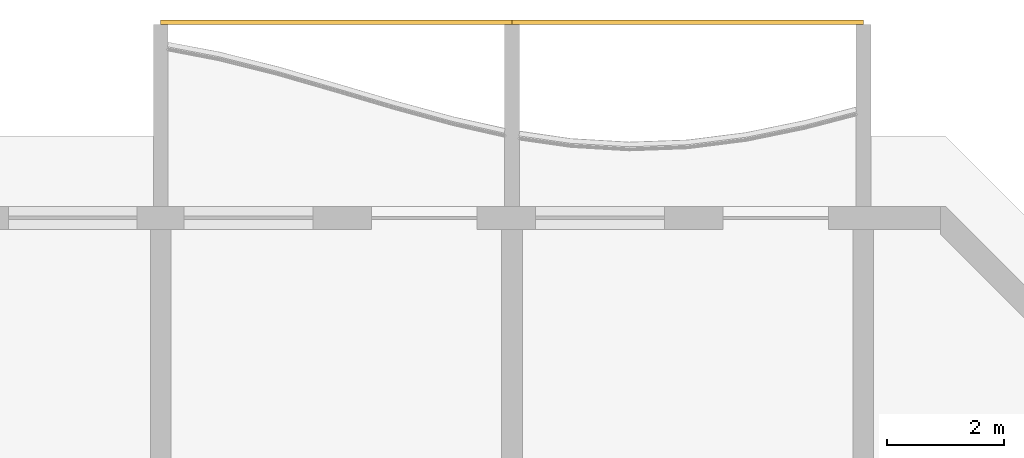
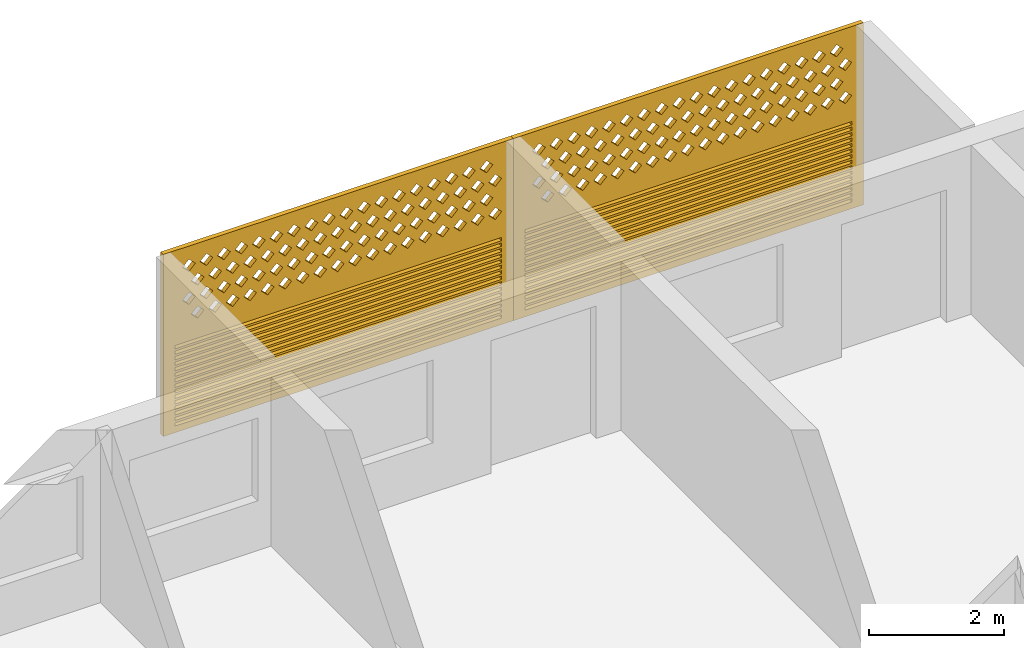
# One storey, part 28 of 28: 2 coverings.
"""IFC4 building model written with IfcOpenShell, lengths in metres."""

from ifc_helpers import new_model, si_unit, direction, frame, origin, place, context, subcontext, project, spatial, polyline, outline, extrude, source, transform, mapped, material, material_profile, profile_set, type_object, element, save


model = new_model("IFC4")

# Units and contexts
model_context = context("Model", 3, precision=1e-05, world=origin(), true_north=direction((0.0, 1.0)))
body_context = subcontext(model_context, "Body", "Model", "MODEL_VIEW")
ifc_project = project(units=[si_unit("LENGTHUNIT", "METRE"), si_unit("AREAUNIT", "SQUARE_METRE"), si_unit("VOLUMEUNIT", "CUBIC_METRE"), si_unit("PLANEANGLEUNIT", "RADIAN"), si_unit("MASSUNIT", "GRAM", prefix="KILO")], contexts=[model_context])

# Site, building, storey
site_placement = place(None, origin())
site = spatial("IfcSite", under=ifc_project, at=site_placement, CompositionType="ELEMENT")
building_placement = place(site_placement, origin())
building = spatial("IfcBuilding", under=site, at=building_placement, Name="Poui Terraces", CompositionType="ELEMENT")
storey_placement = place(building_placement, frame((0.0, 0.0, 72.89990234375)))
storey = spatial("IfcBuildingStorey", under=building, at=storey_placement, Name="L19", CompositionType="ELEMENT", Elevation=72.89990234375)

# Coverings
ifc_material = material(Name="Terracotta screen", Category="masonry")
ifc_material_profile = material_profile(ifc_material, outline(polyline([(-3.0, -1.64990234375), (3.0, -1.64990234375), (3.0, 1.64990234375), (-3.0, 1.64990234375), (-3.0, -1.64990234375)]), holes=[polyline([(-2.800048828125, 0.39990234375), (-2.68994140625, 0.2900390625), (-2.580078125, 0.39990234375), (-2.68994140625, 0.510009765625), (-2.800048828125, 0.39990234375)]), polyline([(-2.5, 0.39990234375), (-2.389892578125, 0.2900390625), (-2.280029296875, 0.39990234375), (-2.389892578125, 0.510009765625), (-2.5, 0.39990234375)]), polyline([(-2.199951171875, 0.39990234375), (-2.090087890625, 0.2900390625), (-1.97998046875, 0.39990234375), (-2.090087890625, 0.510009765625), (-2.199951171875, 0.39990234375)]), polyline([(-1.89990234375, 0.39990234375), (-1.7900390625, 0.2900390625), (-1.679931640625, 0.39990234375), (-1.7900390625, 0.510009765625), (-1.89990234375, 0.39990234375)]), polyline([(-1.60009765625, 0.39990234375), (-1.489990234375, 0.2900390625), (-1.3798828125, 0.39990234375), (-1.489990234375, 0.510009765625), (-1.60009765625, 0.39990234375)]), polyline([(-1.300048828125, 0.39990234375), (-1.18994140625, 0.2900390625), (-1.080078125, 0.39990234375), (-1.18994140625, 0.510009765625), (-1.300048828125, 0.39990234375)]), polyline([(-1.0, 0.39990234375), (-0.889892578125, 0.2900390625), (-0.780029296875, 0.39990234375), (-0.889892578125, 0.510009765625), (-1.0, 0.39990234375)]), polyline([(-0.699951171875, 0.39990234375), (-0.590087890625, 0.2900390625), (-0.47998046875, 0.39990234375), (-0.590087890625, 0.510009765625), (-0.699951171875, 0.39990234375)]), polyline([(-0.39990234375, 0.39990234375), (-0.2900390625, 0.2900390625), (-0.179931640625, 0.39990234375), (-0.2900390625, 0.510009765625), (-0.39990234375, 0.39990234375)]), polyline([(-0.10009765625, 0.39990234375), (0.010009765625, 0.2900390625), (0.1201171875, 0.39990234375), (0.010009765625, 0.510009765625), (-0.10009765625, 0.39990234375)]), polyline([(0.199951171875, 0.39990234375), (0.31005859375, 0.2900390625), (0.419921875, 0.39990234375), (0.31005859375, 0.510009765625), (0.199951171875, 0.39990234375)]), polyline([(0.5, 0.39990234375), (0.610107421875, 0.2900390625), (0.719970703125, 0.39990234375), (0.610107421875, 0.510009765625), (0.5, 0.39990234375)]), polyline([(0.800048828125, 0.39990234375), (0.909912109375, 0.2900390625), (1.02001953125, 0.39990234375), (0.909912109375, 0.510009765625), (0.800048828125, 0.39990234375)]), polyline([(1.10009765625, 0.39990234375), (1.2099609375, 0.2900390625), (1.320068359375, 0.39990234375), (1.2099609375, 0.510009765625), (1.10009765625, 0.39990234375)]), polyline([(1.39990234375, 0.39990234375), (1.510009765625, 0.2900390625), (1.6201171875, 0.39990234375), (1.510009765625, 0.510009765625), (1.39990234375, 0.39990234375)]), polyline([(1.699951171875, 0.39990234375), (1.81005859375, 0.2900390625), (1.919921875, 0.39990234375), (1.81005859375, 0.510009765625), (1.699951171875, 0.39990234375)]), polyline([(2.0, 0.39990234375), (2.110107421875, 0.2900390625), (2.219970703125, 0.39990234375), (2.110107421875, 0.510009765625), (2.0, 0.39990234375)]), polyline([(2.300048828125, 0.39990234375), (2.409912109375, 0.2900390625), (2.52001953125, 0.39990234375), (2.409912109375, 0.510009765625), (2.300048828125, 0.39990234375)]), polyline([(-2.64990234375, 0.699951171875), (-2.5400390625, 0.590087890625), (-2.429931640625, 0.699951171875), (-2.5400390625, 0.81005859375), (-2.64990234375, 0.699951171875)]), polyline([(-2.35009765625, 0.699951171875), (-2.239990234375, 0.590087890625), (-2.1298828125, 0.699951171875), (-2.239990234375, 0.81005859375), (-2.35009765625, 0.699951171875)]), polyline([(-2.050048828125, 0.699951171875), (-1.93994140625, 0.590087890625), (-1.830078125, 0.699951171875), (-1.93994140625, 0.81005859375), (-2.050048828125, 0.699951171875)]), polyline([(-1.75, 0.699951171875), (-1.639892578125, 0.590087890625), (-1.530029296875, 0.699951171875), (-1.639892578125, 0.81005859375), (-1.75, 0.699951171875)]), polyline([(-1.449951171875, 0.699951171875), (-1.340087890625, 0.590087890625), (-1.22998046875, 0.699951171875), (-1.340087890625, 0.81005859375), (-1.449951171875, 0.699951171875)]), polyline([(-1.14990234375, 0.699951171875), (-1.0400390625, 0.590087890625), (-0.929931640625, 0.699951171875), (-1.0400390625, 0.81005859375), (-1.14990234375, 0.699951171875)]), polyline([(-0.85009765625, 0.699951171875), (-0.739990234375, 0.590087890625), (-0.6298828125, 0.699951171875), (-0.739990234375, 0.81005859375), (-0.85009765625, 0.699951171875)]), polyline([(-0.550048828125, 0.699951171875), (-0.43994140625, 0.590087890625), (-0.330078125, 0.699951171875), (-0.43994140625, 0.81005859375), (-0.550048828125, 0.699951171875)]), polyline([(-0.25, 0.699951171875), (-0.139892578125, 0.590087890625), (-0.030029296875, 0.699951171875), (-0.139892578125, 0.81005859375), (-0.25, 0.699951171875)]), polyline([(0.050048828125, 0.699951171875), (0.159912109375, 0.590087890625), (0.27001953125, 0.699951171875), (0.159912109375, 0.81005859375), (0.050048828125, 0.699951171875)]), polyline([(0.35009765625, 0.699951171875), (0.4599609375, 0.590087890625), (0.570068359375, 0.699951171875), (0.4599609375, 0.81005859375), (0.35009765625, 0.699951171875)]), polyline([(0.64990234375, 0.699951171875), (0.760009765625, 0.590087890625), (0.8701171875, 0.699951171875), (0.760009765625, 0.81005859375), (0.64990234375, 0.699951171875)]), polyline([(0.949951171875, 0.699951171875), (1.06005859375, 0.590087890625), (1.169921875, 0.699951171875), (1.06005859375, 0.81005859375), (0.949951171875, 0.699951171875)]), polyline([(1.25, 0.699951171875), (1.360107421875, 0.590087890625), (1.469970703125, 0.699951171875), (1.360107421875, 0.81005859375), (1.25, 0.699951171875)]), polyline([(1.550048828125, 0.699951171875), (1.659912109375, 0.590087890625), (1.77001953125, 0.699951171875), (1.659912109375, 0.81005859375), (1.550048828125, 0.699951171875)]), polyline([(1.85009765625, 0.699951171875), (1.9599609375, 0.590087890625), (2.070068359375, 0.699951171875), (1.9599609375, 0.81005859375), (1.85009765625, 0.699951171875)]), polyline([(2.14990234375, 0.699951171875), (2.260009765625, 0.590087890625), (2.3701171875, 0.699951171875), (2.260009765625, 0.81005859375), (2.14990234375, 0.699951171875)]), polyline([(2.449951171875, 0.699951171875), (2.56005859375, 0.590087890625), (2.669921875, 0.699951171875), (2.56005859375, 0.81005859375), (2.449951171875, 0.699951171875)]), polyline([(-2.800048828125, 1.0), (-2.68994140625, 0.889892578125), (-2.580078125, 1.0), (-2.68994140625, 1.110107421875), (-2.800048828125, 1.0)]), polyline([(-2.5, 1.0), (-2.389892578125, 0.889892578125), (-2.280029296875, 1.0), (-2.389892578125, 1.110107421875), (-2.5, 1.0)]), polyline([(-2.199951171875, 1.0), (-2.090087890625, 0.889892578125), (-1.97998046875, 1.0), (-2.090087890625, 1.110107421875), (-2.199951171875, 1.0)]), polyline([(-1.89990234375, 1.0), (-1.7900390625, 0.889892578125), (-1.679931640625, 1.0), (-1.7900390625, 1.110107421875), (-1.89990234375, 1.0)]), polyline([(-1.60009765625, 1.0), (-1.489990234375, 0.889892578125), (-1.3798828125, 1.0), (-1.489990234375, 1.110107421875), (-1.60009765625, 1.0)]), polyline([(-1.300048828125, 1.0), (-1.18994140625, 0.889892578125), (-1.080078125, 1.0), (-1.18994140625, 1.110107421875), (-1.300048828125, 1.0)]), polyline([(-1.0, 1.0), (-0.889892578125, 0.889892578125), (-0.780029296875, 1.0), (-0.889892578125, 1.110107421875), (-1.0, 1.0)]), polyline([(-0.699951171875, 1.0), (-0.590087890625, 0.889892578125), (-0.47998046875, 1.0), (-0.590087890625, 1.110107421875), (-0.699951171875, 1.0)]), polyline([(-0.39990234375, 1.0), (-0.2900390625, 0.889892578125), (-0.179931640625, 1.0), (-0.2900390625, 1.110107421875), (-0.39990234375, 1.0)]), polyline([(-0.10009765625, 1.0), (0.010009765625, 0.889892578125), (0.1201171875, 1.0), (0.010009765625, 1.110107421875), (-0.10009765625, 1.0)]), polyline([(0.199951171875, 1.0), (0.31005859375, 0.889892578125), (0.419921875, 1.0), (0.31005859375, 1.110107421875), (0.199951171875, 1.0)]), polyline([(0.5, 1.0), (0.610107421875, 0.889892578125), (0.719970703125, 1.0), (0.610107421875, 1.110107421875), (0.5, 1.0)]), polyline([(0.800048828125, 1.0), (0.909912109375, 0.889892578125), (1.02001953125, 1.0), (0.909912109375, 1.110107421875), (0.800048828125, 1.0)]), polyline([(1.10009765625, 1.0), (1.2099609375, 0.889892578125), (1.320068359375, 1.0), (1.2099609375, 1.110107421875), (1.10009765625, 1.0)]), polyline([(1.39990234375, 1.0), (1.510009765625, 0.889892578125), (1.6201171875, 1.0), (1.510009765625, 1.110107421875), (1.39990234375, 1.0)]), polyline([(1.699951171875, 1.0), (1.81005859375, 0.889892578125), (1.919921875, 1.0), (1.81005859375, 1.110107421875), (1.699951171875, 1.0)]), polyline([(2.0, 1.0), (2.110107421875, 0.889892578125), (2.219970703125, 1.0), (2.110107421875, 1.110107421875), (2.0, 1.0)]), polyline([(2.300048828125, 1.0), (2.409912109375, 0.889892578125), (2.52001953125, 1.0), (2.409912109375, 1.110107421875), (2.300048828125, 1.0)]), polyline([(-2.64990234375, 1.300048828125), (-2.5400390625, 1.18994140625), (-2.429931640625, 1.300048828125), (-2.5400390625, 1.409912109375), (-2.64990234375, 1.300048828125)]), polyline([(-2.35009765625, 1.300048828125), (-2.239990234375, 1.18994140625), (-2.1298828125, 1.300048828125), (-2.239990234375, 1.409912109375), (-2.35009765625, 1.300048828125)]), polyline([(-2.050048828125, 1.300048828125), (-1.93994140625, 1.18994140625), (-1.830078125, 1.300048828125), (-1.93994140625, 1.409912109375), (-2.050048828125, 1.300048828125)]), polyline([(-1.75, 1.300048828125), (-1.639892578125, 1.18994140625), (-1.530029296875, 1.300048828125), (-1.639892578125, 1.409912109375), (-1.75, 1.300048828125)]), polyline([(-1.449951171875, 1.300048828125), (-1.340087890625, 1.18994140625), (-1.22998046875, 1.300048828125), (-1.340087890625, 1.409912109375), (-1.449951171875, 1.300048828125)]), polyline([(-1.14990234375, 1.300048828125), (-1.0400390625, 1.18994140625), (-0.929931640625, 1.300048828125), (-1.0400390625, 1.409912109375), (-1.14990234375, 1.300048828125)]), polyline([(-0.85009765625, 1.300048828125), (-0.739990234375, 1.18994140625), (-0.6298828125, 1.300048828125), (-0.739990234375, 1.409912109375), (-0.85009765625, 1.300048828125)]), polyline([(-0.550048828125, 1.300048828125), (-0.43994140625, 1.18994140625), (-0.330078125, 1.300048828125), (-0.43994140625, 1.409912109375), (-0.550048828125, 1.300048828125)]), polyline([(-0.25, 1.300048828125), (-0.139892578125, 1.18994140625), (-0.030029296875, 1.300048828125), (-0.139892578125, 1.409912109375), (-0.25, 1.300048828125)]), polyline([(0.050048828125, 1.300048828125), (0.159912109375, 1.18994140625), (0.27001953125, 1.300048828125), (0.159912109375, 1.409912109375), (0.050048828125, 1.300048828125)]), polyline([(0.35009765625, 1.300048828125), (0.4599609375, 1.18994140625), (0.570068359375, 1.300048828125), (0.4599609375, 1.409912109375), (0.35009765625, 1.300048828125)]), polyline([(0.64990234375, 1.300048828125), (0.760009765625, 1.18994140625), (0.8701171875, 1.300048828125), (0.760009765625, 1.409912109375), (0.64990234375, 1.300048828125)]), polyline([(0.949951171875, 1.300048828125), (1.06005859375, 1.18994140625), (1.169921875, 1.300048828125), (1.06005859375, 1.409912109375), (0.949951171875, 1.300048828125)]), polyline([(1.25, 1.300048828125), (1.360107421875, 1.18994140625), (1.469970703125, 1.300048828125), (1.360107421875, 1.409912109375), (1.25, 1.300048828125)]), polyline([(1.550048828125, 1.300048828125), (1.659912109375, 1.18994140625), (1.77001953125, 1.300048828125), (1.659912109375, 1.409912109375), (1.550048828125, 1.300048828125)]), polyline([(1.85009765625, 1.300048828125), (1.9599609375, 1.18994140625), (2.070068359375, 1.300048828125), (1.9599609375, 1.409912109375), (1.85009765625, 1.300048828125)]), polyline([(2.14990234375, 1.300048828125), (2.260009765625, 1.18994140625), (2.3701171875, 1.300048828125), (2.260009765625, 1.409912109375), (2.14990234375, 1.300048828125)]), polyline([(2.449951171875, 1.300048828125), (2.56005859375, 1.18994140625), (2.669921875, 1.300048828125), (2.56005859375, 1.409912109375), (2.449951171875, 1.300048828125)]), polyline([(-2.800048828125, -1.530029296875), (2.800048828125, -1.530029296875), (2.800048828125, -1.469970703125), (-2.800048828125, -1.469970703125), (-2.800048828125, -1.530029296875)]), polyline([(-2.800048828125, -1.429931640625), (2.800048828125, -1.429931640625), (2.800048828125, -1.3701171875), (-2.800048828125, -1.3701171875), (-2.800048828125, -1.429931640625)]), polyline([(-2.800048828125, -1.330078125), (2.800048828125, -1.330078125), (2.800048828125, -1.27001953125), (-2.800048828125, -1.27001953125), (-2.800048828125, -1.330078125)]), polyline([(-2.800048828125, -1.22998046875), (2.800048828125, -1.22998046875), (2.800048828125, -1.169921875), (-2.800048828125, -1.169921875), (-2.800048828125, -1.22998046875)]), polyline([(-2.800048828125, -1.1298828125), (2.800048828125, -1.1298828125), (2.800048828125, -1.070068359375), (-2.800048828125, -1.070068359375), (-2.800048828125, -1.1298828125)]), polyline([(-2.800048828125, -1.030029296875), (2.800048828125, -1.030029296875), (2.800048828125, -0.969970703125), (-2.800048828125, -0.969970703125), (-2.800048828125, -1.030029296875)]), polyline([(-2.800048828125, -0.929931640625), (2.800048828125, -0.929931640625), (2.800048828125, -0.8701171875), (-2.800048828125, -0.8701171875), (-2.800048828125, -0.929931640625)]), polyline([(-2.800048828125, -0.830078125), (2.800048828125, -0.830078125), (2.800048828125, -0.77001953125), (-2.800048828125, -0.77001953125), (-2.800048828125, -0.830078125)]), polyline([(-2.800048828125, -0.72998046875), (2.800048828125, -0.72998046875), (2.800048828125, -0.669921875), (-2.800048828125, -0.669921875), (-2.800048828125, -0.72998046875)]), polyline([(-2.800048828125, -0.6298828125), (2.800048828125, -0.6298828125), (2.800048828125, -0.570068359375), (-2.800048828125, -0.570068359375), (-2.800048828125, -0.6298828125)]), polyline([(-2.800048828125, -0.530029296875), (2.800048828125, -0.530029296875), (2.800048828125, -0.469970703125), (-2.800048828125, -0.469970703125), (-2.800048828125, -0.530029296875)]), polyline([(-2.800048828125, -0.429931640625), (2.800048828125, -0.429931640625), (2.800048828125, -0.3701171875), (-2.800048828125, -0.3701171875), (-2.800048828125, -0.429931640625)]), polyline([(-2.800048828125, -0.330078125), (2.800048828125, -0.330078125), (2.800048828125, -0.27001953125), (-2.800048828125, -0.27001953125), (-2.800048828125, -0.330078125)]), polyline([(-2.800048828125, -0.22998046875), (2.800048828125, -0.22998046875), (2.800048828125, -0.169921875), (-2.800048828125, -0.169921875), (-2.800048828125, -0.22998046875)]), polyline([(-2.800048828125, -0.1298828125), (2.800048828125, -0.1298828125), (2.800048828125, -0.070068359375), (-2.800048828125, -0.070068359375), (-2.800048828125, -0.1298828125)])]), Name="TERRACOTTA SCREEN AND JALOUSIE LOUVRE 6000X3300")
ifc_profile_set = profile_set([ifc_material_profile], Name="Terracotta screen")
covering_type = type_object("IfcCoveringType", Name="TERRACOTTA SCREEN AND JALOUSIE LOUVRE 6000X3300", PredefinedType="CLADDING", material=ifc_profile_set)
shared_shape = source(origin(), body_context, "Body", "SweptSolid", [
    extrude(outline(polyline([(-3.0, -1.64990234375), (3.0, -1.64990234375), (3.0, 1.64990234375), (-3.0, 1.64990234375), (-3.0, -1.64990234375)]), holes=[polyline([(-2.800048828125, 0.39990234375), (-2.68994140625, 0.2900390625), (-2.580078125, 0.39990234375), (-2.68994140625, 0.510009765625), (-2.800048828125, 0.39990234375)]), polyline([(-2.5, 0.39990234375), (-2.389892578125, 0.2900390625), (-2.280029296875, 0.39990234375), (-2.389892578125, 0.510009765625), (-2.5, 0.39990234375)]), polyline([(-2.199951171875, 0.39990234375), (-2.090087890625, 0.2900390625), (-1.97998046875, 0.39990234375), (-2.090087890625, 0.510009765625), (-2.199951171875, 0.39990234375)]), polyline([(-1.89990234375, 0.39990234375), (-1.7900390625, 0.2900390625), (-1.679931640625, 0.39990234375), (-1.7900390625, 0.510009765625), (-1.89990234375, 0.39990234375)]), polyline([(-1.60009765625, 0.39990234375), (-1.489990234375, 0.2900390625), (-1.3798828125, 0.39990234375), (-1.489990234375, 0.510009765625), (-1.60009765625, 0.39990234375)]), polyline([(-1.300048828125, 0.39990234375), (-1.18994140625, 0.2900390625), (-1.080078125, 0.39990234375), (-1.18994140625, 0.510009765625), (-1.300048828125, 0.39990234375)]), polyline([(-1.0, 0.39990234375), (-0.889892578125, 0.2900390625), (-0.780029296875, 0.39990234375), (-0.889892578125, 0.510009765625), (-1.0, 0.39990234375)]), polyline([(-0.699951171875, 0.39990234375), (-0.590087890625, 0.2900390625), (-0.47998046875, 0.39990234375), (-0.590087890625, 0.510009765625), (-0.699951171875, 0.39990234375)]), polyline([(-0.39990234375, 0.39990234375), (-0.2900390625, 0.2900390625), (-0.179931640625, 0.39990234375), (-0.2900390625, 0.510009765625), (-0.39990234375, 0.39990234375)]), polyline([(-0.10009765625, 0.39990234375), (0.010009765625, 0.2900390625), (0.1201171875, 0.39990234375), (0.010009765625, 0.510009765625), (-0.10009765625, 0.39990234375)]), polyline([(0.199951171875, 0.39990234375), (0.31005859375, 0.2900390625), (0.419921875, 0.39990234375), (0.31005859375, 0.510009765625), (0.199951171875, 0.39990234375)]), polyline([(0.5, 0.39990234375), (0.610107421875, 0.2900390625), (0.719970703125, 0.39990234375), (0.610107421875, 0.510009765625), (0.5, 0.39990234375)]), polyline([(0.800048828125, 0.39990234375), (0.909912109375, 0.2900390625), (1.02001953125, 0.39990234375), (0.909912109375, 0.510009765625), (0.800048828125, 0.39990234375)]), polyline([(1.10009765625, 0.39990234375), (1.2099609375, 0.2900390625), (1.320068359375, 0.39990234375), (1.2099609375, 0.510009765625), (1.10009765625, 0.39990234375)]), polyline([(1.39990234375, 0.39990234375), (1.510009765625, 0.2900390625), (1.6201171875, 0.39990234375), (1.510009765625, 0.510009765625), (1.39990234375, 0.39990234375)]), polyline([(1.699951171875, 0.39990234375), (1.81005859375, 0.2900390625), (1.919921875, 0.39990234375), (1.81005859375, 0.510009765625), (1.699951171875, 0.39990234375)]), polyline([(2.0, 0.39990234375), (2.110107421875, 0.2900390625), (2.219970703125, 0.39990234375), (2.110107421875, 0.510009765625), (2.0, 0.39990234375)]), polyline([(2.300048828125, 0.39990234375), (2.409912109375, 0.2900390625), (2.52001953125, 0.39990234375), (2.409912109375, 0.510009765625), (2.300048828125, 0.39990234375)]), polyline([(-2.64990234375, 0.699951171875), (-2.5400390625, 0.590087890625), (-2.429931640625, 0.699951171875), (-2.5400390625, 0.81005859375), (-2.64990234375, 0.699951171875)]), polyline([(-2.35009765625, 0.699951171875), (-2.239990234375, 0.590087890625), (-2.1298828125, 0.699951171875), (-2.239990234375, 0.81005859375), (-2.35009765625, 0.699951171875)]), polyline([(-2.050048828125, 0.699951171875), (-1.93994140625, 0.590087890625), (-1.830078125, 0.699951171875), (-1.93994140625, 0.81005859375), (-2.050048828125, 0.699951171875)]), polyline([(-1.75, 0.699951171875), (-1.639892578125, 0.590087890625), (-1.530029296875, 0.699951171875), (-1.639892578125, 0.81005859375), (-1.75, 0.699951171875)]), polyline([(-1.449951171875, 0.699951171875), (-1.340087890625, 0.590087890625), (-1.22998046875, 0.699951171875), (-1.340087890625, 0.81005859375), (-1.449951171875, 0.699951171875)]), polyline([(-1.14990234375, 0.699951171875), (-1.0400390625, 0.590087890625), (-0.929931640625, 0.699951171875), (-1.0400390625, 0.81005859375), (-1.14990234375, 0.699951171875)]), polyline([(-0.85009765625, 0.699951171875), (-0.739990234375, 0.590087890625), (-0.6298828125, 0.699951171875), (-0.739990234375, 0.81005859375), (-0.85009765625, 0.699951171875)]), polyline([(-0.550048828125, 0.699951171875), (-0.43994140625, 0.590087890625), (-0.330078125, 0.699951171875), (-0.43994140625, 0.81005859375), (-0.550048828125, 0.699951171875)]), polyline([(-0.25, 0.699951171875), (-0.139892578125, 0.590087890625), (-0.030029296875, 0.699951171875), (-0.139892578125, 0.81005859375), (-0.25, 0.699951171875)]), polyline([(0.050048828125, 0.699951171875), (0.159912109375, 0.590087890625), (0.27001953125, 0.699951171875), (0.159912109375, 0.81005859375), (0.050048828125, 0.699951171875)]), polyline([(0.35009765625, 0.699951171875), (0.4599609375, 0.590087890625), (0.570068359375, 0.699951171875), (0.4599609375, 0.81005859375), (0.35009765625, 0.699951171875)]), polyline([(0.64990234375, 0.699951171875), (0.760009765625, 0.590087890625), (0.8701171875, 0.699951171875), (0.760009765625, 0.81005859375), (0.64990234375, 0.699951171875)]), polyline([(0.949951171875, 0.699951171875), (1.06005859375, 0.590087890625), (1.169921875, 0.699951171875), (1.06005859375, 0.81005859375), (0.949951171875, 0.699951171875)]), polyline([(1.25, 0.699951171875), (1.360107421875, 0.590087890625), (1.469970703125, 0.699951171875), (1.360107421875, 0.81005859375), (1.25, 0.699951171875)]), polyline([(1.550048828125, 0.699951171875), (1.659912109375, 0.590087890625), (1.77001953125, 0.699951171875), (1.659912109375, 0.81005859375), (1.550048828125, 0.699951171875)]), polyline([(1.85009765625, 0.699951171875), (1.9599609375, 0.590087890625), (2.070068359375, 0.699951171875), (1.9599609375, 0.81005859375), (1.85009765625, 0.699951171875)]), polyline([(2.14990234375, 0.699951171875), (2.260009765625, 0.590087890625), (2.3701171875, 0.699951171875), (2.260009765625, 0.81005859375), (2.14990234375, 0.699951171875)]), polyline([(2.449951171875, 0.699951171875), (2.56005859375, 0.590087890625), (2.669921875, 0.699951171875), (2.56005859375, 0.81005859375), (2.449951171875, 0.699951171875)]), polyline([(-2.800048828125, 1.0), (-2.68994140625, 0.889892578125), (-2.580078125, 1.0), (-2.68994140625, 1.110107421875), (-2.800048828125, 1.0)]), polyline([(-2.5, 1.0), (-2.389892578125, 0.889892578125), (-2.280029296875, 1.0), (-2.389892578125, 1.110107421875), (-2.5, 1.0)]), polyline([(-2.199951171875, 1.0), (-2.090087890625, 0.889892578125), (-1.97998046875, 1.0), (-2.090087890625, 1.110107421875), (-2.199951171875, 1.0)]), polyline([(-1.89990234375, 1.0), (-1.7900390625, 0.889892578125), (-1.679931640625, 1.0), (-1.7900390625, 1.110107421875), (-1.89990234375, 1.0)]), polyline([(-1.60009765625, 1.0), (-1.489990234375, 0.889892578125), (-1.3798828125, 1.0), (-1.489990234375, 1.110107421875), (-1.60009765625, 1.0)]), polyline([(-1.300048828125, 1.0), (-1.18994140625, 0.889892578125), (-1.080078125, 1.0), (-1.18994140625, 1.110107421875), (-1.300048828125, 1.0)]), polyline([(-1.0, 1.0), (-0.889892578125, 0.889892578125), (-0.780029296875, 1.0), (-0.889892578125, 1.110107421875), (-1.0, 1.0)]), polyline([(-0.699951171875, 1.0), (-0.590087890625, 0.889892578125), (-0.47998046875, 1.0), (-0.590087890625, 1.110107421875), (-0.699951171875, 1.0)]), polyline([(-0.39990234375, 1.0), (-0.2900390625, 0.889892578125), (-0.179931640625, 1.0), (-0.2900390625, 1.110107421875), (-0.39990234375, 1.0)]), polyline([(-0.10009765625, 1.0), (0.010009765625, 0.889892578125), (0.1201171875, 1.0), (0.010009765625, 1.110107421875), (-0.10009765625, 1.0)]), polyline([(0.199951171875, 1.0), (0.31005859375, 0.889892578125), (0.419921875, 1.0), (0.31005859375, 1.110107421875), (0.199951171875, 1.0)]), polyline([(0.5, 1.0), (0.610107421875, 0.889892578125), (0.719970703125, 1.0), (0.610107421875, 1.110107421875), (0.5, 1.0)]), polyline([(0.800048828125, 1.0), (0.909912109375, 0.889892578125), (1.02001953125, 1.0), (0.909912109375, 1.110107421875), (0.800048828125, 1.0)]), polyline([(1.10009765625, 1.0), (1.2099609375, 0.889892578125), (1.320068359375, 1.0), (1.2099609375, 1.110107421875), (1.10009765625, 1.0)]), polyline([(1.39990234375, 1.0), (1.510009765625, 0.889892578125), (1.6201171875, 1.0), (1.510009765625, 1.110107421875), (1.39990234375, 1.0)]), polyline([(1.699951171875, 1.0), (1.81005859375, 0.889892578125), (1.919921875, 1.0), (1.81005859375, 1.110107421875), (1.699951171875, 1.0)]), polyline([(2.0, 1.0), (2.110107421875, 0.889892578125), (2.219970703125, 1.0), (2.110107421875, 1.110107421875), (2.0, 1.0)]), polyline([(2.300048828125, 1.0), (2.409912109375, 0.889892578125), (2.52001953125, 1.0), (2.409912109375, 1.110107421875), (2.300048828125, 1.0)]), polyline([(-2.64990234375, 1.300048828125), (-2.5400390625, 1.18994140625), (-2.429931640625, 1.300048828125), (-2.5400390625, 1.409912109375), (-2.64990234375, 1.300048828125)]), polyline([(-2.35009765625, 1.300048828125), (-2.239990234375, 1.18994140625), (-2.1298828125, 1.300048828125), (-2.239990234375, 1.409912109375), (-2.35009765625, 1.300048828125)]), polyline([(-2.050048828125, 1.300048828125), (-1.93994140625, 1.18994140625), (-1.830078125, 1.300048828125), (-1.93994140625, 1.409912109375), (-2.050048828125, 1.300048828125)]), polyline([(-1.75, 1.300048828125), (-1.639892578125, 1.18994140625), (-1.530029296875, 1.300048828125), (-1.639892578125, 1.409912109375), (-1.75, 1.300048828125)]), polyline([(-1.449951171875, 1.300048828125), (-1.340087890625, 1.18994140625), (-1.22998046875, 1.300048828125), (-1.340087890625, 1.409912109375), (-1.449951171875, 1.300048828125)]), polyline([(-1.14990234375, 1.300048828125), (-1.0400390625, 1.18994140625), (-0.929931640625, 1.300048828125), (-1.0400390625, 1.409912109375), (-1.14990234375, 1.300048828125)]), polyline([(-0.85009765625, 1.300048828125), (-0.739990234375, 1.18994140625), (-0.6298828125, 1.300048828125), (-0.739990234375, 1.409912109375), (-0.85009765625, 1.300048828125)]), polyline([(-0.550048828125, 1.300048828125), (-0.43994140625, 1.18994140625), (-0.330078125, 1.300048828125), (-0.43994140625, 1.409912109375), (-0.550048828125, 1.300048828125)]), polyline([(-0.25, 1.300048828125), (-0.139892578125, 1.18994140625), (-0.030029296875, 1.300048828125), (-0.139892578125, 1.409912109375), (-0.25, 1.300048828125)]), polyline([(0.050048828125, 1.300048828125), (0.159912109375, 1.18994140625), (0.27001953125, 1.300048828125), (0.159912109375, 1.409912109375), (0.050048828125, 1.300048828125)]), polyline([(0.35009765625, 1.300048828125), (0.4599609375, 1.18994140625), (0.570068359375, 1.300048828125), (0.4599609375, 1.409912109375), (0.35009765625, 1.300048828125)]), polyline([(0.64990234375, 1.300048828125), (0.760009765625, 1.18994140625), (0.8701171875, 1.300048828125), (0.760009765625, 1.409912109375), (0.64990234375, 1.300048828125)]), polyline([(0.949951171875, 1.300048828125), (1.06005859375, 1.18994140625), (1.169921875, 1.300048828125), (1.06005859375, 1.409912109375), (0.949951171875, 1.300048828125)]), polyline([(1.25, 1.300048828125), (1.360107421875, 1.18994140625), (1.469970703125, 1.300048828125), (1.360107421875, 1.409912109375), (1.25, 1.300048828125)]), polyline([(1.550048828125, 1.300048828125), (1.659912109375, 1.18994140625), (1.77001953125, 1.300048828125), (1.659912109375, 1.409912109375), (1.550048828125, 1.300048828125)]), polyline([(1.85009765625, 1.300048828125), (1.9599609375, 1.18994140625), (2.070068359375, 1.300048828125), (1.9599609375, 1.409912109375), (1.85009765625, 1.300048828125)]), polyline([(2.14990234375, 1.300048828125), (2.260009765625, 1.18994140625), (2.3701171875, 1.300048828125), (2.260009765625, 1.409912109375), (2.14990234375, 1.300048828125)]), polyline([(2.449951171875, 1.300048828125), (2.56005859375, 1.18994140625), (2.669921875, 1.300048828125), (2.56005859375, 1.409912109375), (2.449951171875, 1.300048828125)]), polyline([(-2.800048828125, -1.530029296875), (2.800048828125, -1.530029296875), (2.800048828125, -1.469970703125), (-2.800048828125, -1.469970703125), (-2.800048828125, -1.530029296875)]), polyline([(-2.800048828125, -1.429931640625), (2.800048828125, -1.429931640625), (2.800048828125, -1.3701171875), (-2.800048828125, -1.3701171875), (-2.800048828125, -1.429931640625)]), polyline([(-2.800048828125, -1.330078125), (2.800048828125, -1.330078125), (2.800048828125, -1.27001953125), (-2.800048828125, -1.27001953125), (-2.800048828125, -1.330078125)]), polyline([(-2.800048828125, -1.22998046875), (2.800048828125, -1.22998046875), (2.800048828125, -1.169921875), (-2.800048828125, -1.169921875), (-2.800048828125, -1.22998046875)]), polyline([(-2.800048828125, -1.1298828125), (2.800048828125, -1.1298828125), (2.800048828125, -1.070068359375), (-2.800048828125, -1.070068359375), (-2.800048828125, -1.1298828125)]), polyline([(-2.800048828125, -1.030029296875), (2.800048828125, -1.030029296875), (2.800048828125, -0.969970703125), (-2.800048828125, -0.969970703125), (-2.800048828125, -1.030029296875)]), polyline([(-2.800048828125, -0.929931640625), (2.800048828125, -0.929931640625), (2.800048828125, -0.8701171875), (-2.800048828125, -0.8701171875), (-2.800048828125, -0.929931640625)]), polyline([(-2.800048828125, -0.830078125), (2.800048828125, -0.830078125), (2.800048828125, -0.77001953125), (-2.800048828125, -0.77001953125), (-2.800048828125, -0.830078125)]), polyline([(-2.800048828125, -0.72998046875), (2.800048828125, -0.72998046875), (2.800048828125, -0.669921875), (-2.800048828125, -0.669921875), (-2.800048828125, -0.72998046875)]), polyline([(-2.800048828125, -0.6298828125), (2.800048828125, -0.6298828125), (2.800048828125, -0.570068359375), (-2.800048828125, -0.570068359375), (-2.800048828125, -0.6298828125)]), polyline([(-2.800048828125, -0.530029296875), (2.800048828125, -0.530029296875), (2.800048828125, -0.469970703125), (-2.800048828125, -0.469970703125), (-2.800048828125, -0.530029296875)]), polyline([(-2.800048828125, -0.429931640625), (2.800048828125, -0.429931640625), (2.800048828125, -0.3701171875), (-2.800048828125, -0.3701171875), (-2.800048828125, -0.429931640625)]), polyline([(-2.800048828125, -0.330078125), (2.800048828125, -0.330078125), (2.800048828125, -0.27001953125), (-2.800048828125, -0.27001953125), (-2.800048828125, -0.330078125)]), polyline([(-2.800048828125, -0.22998046875), (2.800048828125, -0.22998046875), (2.800048828125, -0.169921875), (-2.800048828125, -0.169921875), (-2.800048828125, -0.22998046875)]), polyline([(-2.800048828125, -0.1298828125), (2.800048828125, -0.1298828125), (2.800048828125, -0.070068359375), (-2.800048828125, -0.070068359375), (-2.800048828125, -0.1298828125)])]), origin(), (0.0, 0.0, 1.0), 0.080078125),
])
for number, where, z_axis, x_axis, name in (
    (1, (81.0, 46.89990234375, 1.4501953125), (0.0, 1.0, 0.0), (-1.0, 0.0, 0.0), "SOLAR SCREEN AND JALOUSIE LOUVRE"),
    (2, (87.0, 46.89990234375, 1.4501953125), (0.0, 1.0, 0.0), (-1.0, 0.0, 0.0), "SOLAR SCREEN AND JALOUSIE LOUVRE"),
):
    element("IfcCovering", number, at=place(storey_placement, frame(where, z_axis=z_axis, x_axis=x_axis)), inside=storey, type_object=covering_type, Name=name, PredefinedType="CLADDING", context=body_context, shape_type="MappedRepresentation", body=[
        mapped(shared_shape, transform((0.0, 0.0, 0.0))),
    ])

save(model, "model.ifc")
